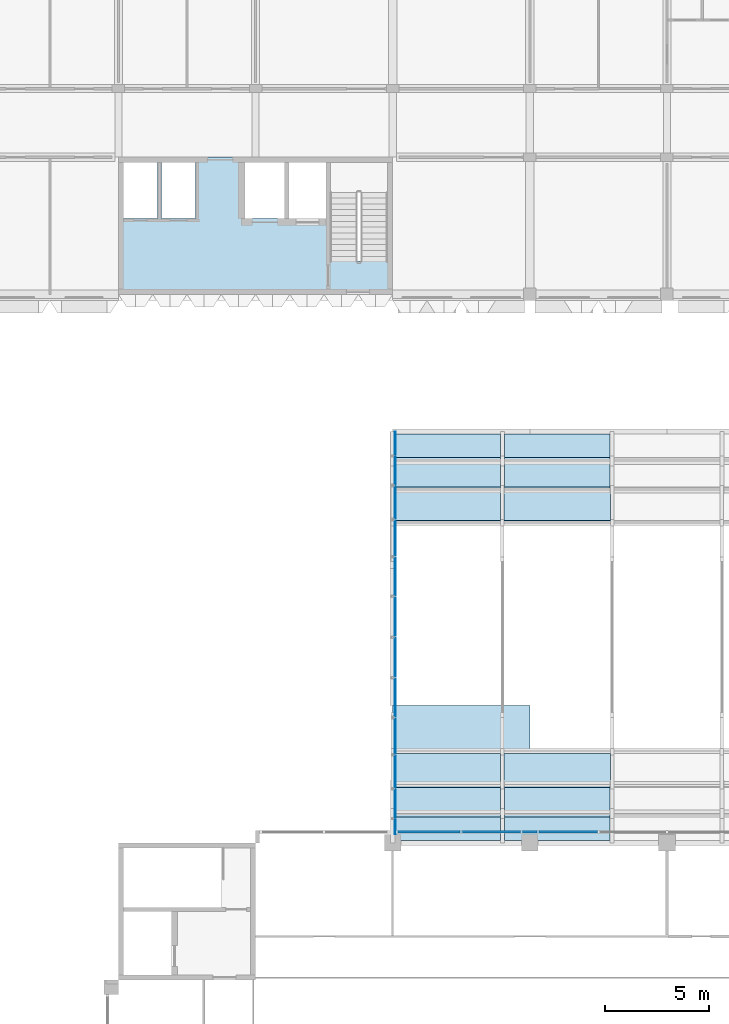
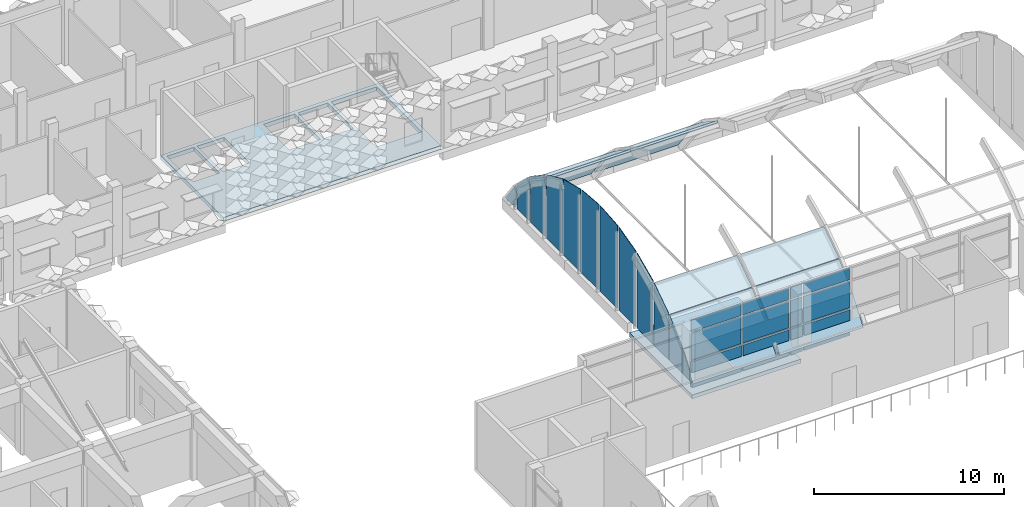
# One storey, part 38 of 102: 24 plates, 14 slabs, 1 element without a shape of its own.
"""IFC4 building model written with IfcOpenShell, lengths in metres."""

from ifc_helpers import new_model, si_unit, direction, frame, origin, origin_2d, place, context, subcontext, project, spatial, polyline, rectangle, outline, extrude, material, layer, layer_set, type_object, element, aggregate, save


model = new_model("IFC4")

# Units and contexts
model_context = context("Model", 3, precision=1e-05, world=origin(), true_north=direction((0.0, 1.0)))
body_context = subcontext(model_context, "Body", "Model", "MODEL_VIEW")
ifc_project = project(units=[si_unit("LENGTHUNIT", "METRE"), si_unit("AREAUNIT", "SQUARE_METRE"), si_unit("VOLUMEUNIT", "CUBIC_METRE"), si_unit("PLANEANGLEUNIT", "RADIAN"), si_unit("MASSUNIT", "GRAM", prefix="KILO")], contexts=[model_context])

# Site, building, storey
site_placement = place(None, origin())
site = spatial("IfcSite", under=ifc_project, at=site_placement, CompositionType="ELEMENT")
building_placement = place(site_placement, origin())
building = spatial("IfcBuilding", under=site, at=building_placement, Name="Lantern Court Research Institute", CompositionType="ELEMENT")
storey_placement = place(building_placement, frame((0.0, 0.0, 9.89990234375)))
storey = spatial("IfcBuildingStorey", under=building, at=storey_placement, Name="L02", CompositionType="ELEMENT", Elevation=9.89990234375)

# Curtain wall, plates
ifc_material_1 = material(Name="Aluminium alloy 6063-T6", Category="aluminium")
curtain_wall_type = type_object("IfcCurtainWallType", Name="Curtain wall 19450 x 4500 x 150 aluminium frame", PredefinedType="NOTDEFINED", material=ifc_material_1)
curtain_wall_placement = place(storey_placement, origin())
curtain_wall = element("IfcCurtainWall", 1, at=curtain_wall_placement, inside=storey, type_object=curtain_wall_type, Name="Curtain wall CW036", PredefinedType="NOTDEFINED")
ifc_material_2 = material(Name="Fire-resisting insulated aluminium spandrel panel", Category="aluminium")
ifc_layer_1 = layer(ifc_material_2, 0.1201171875)
ifc_layer_set_1 = layer_set([ifc_layer_1], Name="Fire-resisting insulated aluminium spandrel panel")
plate_type_1 = type_object("IfcPlateType", Name="Fire-resisting spandrel panel 120 mm", PredefinedType="CURTAIN_PANEL", material=ifc_layer_set_1)
plate_1_placement = place(storey_placement, frame((54.550048828125, 56.625, 0.10009765625), z_axis=(0.0, 0.0, 1.0), x_axis=(1.0, 0.0, 0.0)))
plate_1 = element("IfcPlate", 2, at=plate_1_placement, type_object=plate_type_1, Name="CW036 spandrel panel 1.1", PredefinedType="CURTAIN_PANEL", context=body_context, shape_type="SweptSolid", body=[
    extrude(rectangle(XDim=3.0, YDim=0.1201171875, at=origin_2d()), origin(), (0.0, 0.0, 1.0), 1.64990234375),
])
plate_2_placement = place(storey_placement, frame((57.550048828125, 56.625, 0.10009765625), z_axis=(0.0, 0.0, 1.0), x_axis=(1.0, 0.0, 0.0)))
plate_2 = element("IfcPlate", 3, at=plate_2_placement, type_object=plate_type_1, Name="CW036 spandrel panel 2.1", PredefinedType="CURTAIN_PANEL", context=body_context, shape_type="SweptSolid", body=[
    extrude(rectangle(XDim=2.800048828125, YDim=0.1201171875, at=origin_2d()), origin(), (0.0, 0.0, 1.0), 1.64990234375),
])
plate_3_placement = place(storey_placement, frame((59.39990234375, 56.625, 0.10009765625), z_axis=(0.0, 0.0, 1.0), x_axis=(1.0, 0.0, 0.0)))
plate_3 = element("IfcPlate", 4, at=plate_3_placement, type_object=plate_type_1, Name="CW036 spandrel panel 3.1", PredefinedType="CURTAIN_PANEL", context=body_context, shape_type="SweptSolid", body=[
    extrude(rectangle(XDim=0.699951171875, YDim=0.1201171875, at=origin_2d()), origin(), (0.0, 0.0, 1.0), 1.64990234375),
])
plate_4_placement = place(storey_placement, frame((61.25, 56.625, 0.10009765625), z_axis=(0.0, 0.0, 1.0), x_axis=(1.0, 0.0, 0.0)))
plate_4 = element("IfcPlate", 5, at=plate_4_placement, type_object=plate_type_1, Name="CW036 spandrel panel 4.1", PredefinedType="CURTAIN_PANEL", context=body_context, shape_type="SweptSolid", body=[
    extrude(rectangle(XDim=2.800048828125, YDim=0.1201171875, at=origin_2d()), origin(), (0.0, 0.0, 1.0), 1.64990234375),
])

# Plates
ifc_material_3 = material(Name="Laminated low-emissivity glass", Category="glass")
ifc_layer_2 = layer(ifc_material_3, 0.035888671875)
ifc_layer_set_2 = layer_set([ifc_layer_2], Name="Laminated low-emissivity glass")
plate_type_2 = type_object("IfcPlateType", Name="Gable glazing panel 36", PredefinedType="SHEET", material=ifc_layer_set_2)
plate_5_placement = place(storey_placement, frame((52.91796875, 56.5048828125, 0.64013671875), z_axis=(0.0, 0.0, 1.0), x_axis=(0.0, 1.0, 0.0)))
element("IfcPlate", 6, at=plate_5_placement, inside=storey, type_object=plate_type_2, Name="Gable glazing panel", PredefinedType="SHEET", context=body_context, shape_type="SweptSolid", body=[
    extrude(outline(polyline([(0.0, 0.0), (0.71240234375, 0.0), (0.71240234375, 1.497314453125), (0.0, 0.542724609375), (0.0, 0.0)])), frame((0.0, 0.01806640625, 0.0), z_axis=(0.0, -1.0, 0.0), x_axis=(1.0, 0.0, 0.0)), (0.0, 0.0, 1.0), 0.035888671875),
])
plate_6_placement = place(storey_placement, frame((52.91796875, 57.33740234375, 0.64013671875), z_axis=(0.0, 0.0, 1.0), x_axis=(0.0, 1.0, 0.0)))
element("IfcPlate", 7, at=plate_6_placement, inside=storey, type_object=plate_type_2, Name="Gable glazing panel", PredefinedType="SHEET", context=body_context, shape_type="SweptSolid", body=[
    extrude(outline(polyline([(0.0, 0.0), (1.305908203125, 0.0), (1.305908203125, 2.877685546875), (0.0, 1.634765625), (0.0, 0.0)])), frame((0.0, 0.01806640625, 0.0), z_axis=(0.0, -1.0, 0.0), x_axis=(1.0, 0.0, 0.0)), (0.0, 0.0, 1.0), 0.035888671875),
])
plate_7_placement = place(storey_placement, frame((52.91796875, 58.763427734375, 0.64013671875), z_axis=(0.0, 0.0, 1.0), x_axis=(0.0, 1.0, 0.0)))
element("IfcPlate", 8, at=plate_7_placement, inside=storey, type_object=plate_type_2, Name="Gable glazing panel", PredefinedType="SHEET", context=body_context, shape_type="SweptSolid", body=[
    extrude(outline(polyline([(0.0, 0.0), (1.513916015625, 0.0), (1.513916015625, 3.992431640625), (0.0, 2.97509765625), (0.0, 0.0)])), frame((0.0, 0.01806640625, 0.0), z_axis=(0.0, -1.0, 0.0), x_axis=(1.0, 0.0, 0.0)), (0.0, 0.0, 1.0), 0.035888671875),
])
plate_8_placement = place(storey_placement, frame((52.91796875, 60.3974609375, 0.64013671875), z_axis=(0.0, 0.0, 1.0), x_axis=(0.0, 1.0, 0.0)))
element("IfcPlate", 9, at=plate_8_placement, inside=storey, type_object=plate_type_2, Name="Gable glazing panel", PredefinedType="SHEET", context=body_context, shape_type="SweptSolid", body=[
    extrude(outline(polyline([(0.0, 0.0), (1.67529296875, 0.0), (1.67529296875, 4.81298828125), (0.0, 4.0595703125), (0.0, 0.0)])), frame((0.0, 0.01806640625, 0.0), z_axis=(0.0, -1.0, 0.0), x_axis=(1.0, 0.0, 0.0)), (0.0, 0.0, 1.0), 0.035888671875),
])
plate_9_placement = place(storey_placement, frame((52.91796875, 62.19287109375, 0.64013671875), z_axis=(0.0, 0.0, 1.0), x_axis=(0.0, 1.0, 0.0)))
element("IfcPlate", 10, at=plate_9_placement, inside=storey, type_object=plate_type_2, Name="Gable glazing panel", PredefinedType="SHEET", context=body_context, shape_type="SweptSolid", body=[
    extrude(outline(polyline([(0.0, 0.0), (1.78564453125, 0.0), (1.78564453125, 5.318115234375), (0.0, 4.85546875), (0.0, 0.0)])), frame((0.0, 0.01806640625, 0.0), z_axis=(0.0, -1.0, 0.0), x_axis=(1.0, 0.0, 0.0)), (0.0, 0.0, 1.0), 0.035888671875),
])
plate_10_placement = place(storey_placement, frame((52.91796875, 64.098388671875, 0.64013671875), z_axis=(0.0, 0.0, 1.0), x_axis=(0.0, 1.0, 0.0)))
element("IfcPlate", 11, at=plate_10_placement, inside=storey, type_object=plate_type_2, Name="Gable glazing panel", PredefinedType="SHEET", context=body_context, shape_type="SweptSolid", body=[
    extrude(outline(polyline([(0.0, 0.0), (1.841552734375, 0.0), (1.841552734375, 5.494873046875), (0.0, 5.3388671875), (0.0, 0.0)])), frame((0.0, 0.01806640625, 0.0), z_axis=(0.0, -1.0, 0.0), x_axis=(1.0, 0.0, 0.0)), (0.0, 0.0, 1.0), 0.035888671875),
])
plate_11_placement = place(storey_placement, frame((52.91796875, 66.06005859375, 0.64013671875), z_axis=(0.0, 0.0, 1.0), x_axis=(0.0, 1.0, 0.0)))
element("IfcPlate", 12, at=plate_11_placement, inside=storey, type_object=plate_type_2, Name="Gable glazing panel", PredefinedType="SHEET", context=body_context, shape_type="SweptSolid", body=[
    extrude(outline(polyline([(0.0, 0.0), (1.841552734375, 0.0), (1.841552734375, 5.3388671875), (0.0, 5.494873046875), (0.0, 0.0)])), frame((0.0, 0.01806640625, 0.0), z_axis=(0.0, -1.0, 0.0), x_axis=(1.0, 0.0, 0.0)), (0.0, 0.0, 1.0), 0.035888671875),
])
plate_12_placement = place(storey_placement, frame((52.91796875, 68.021484375, 0.64013671875), z_axis=(0.0, 0.0, 1.0), x_axis=(0.0, 1.0, 0.0)))
element("IfcPlate", 13, at=plate_12_placement, inside=storey, type_object=plate_type_2, Name="Gable glazing panel", PredefinedType="SHEET", context=body_context, shape_type="SweptSolid", body=[
    extrude(outline(polyline([(0.0, 0.0), (1.78564453125, 0.0), (1.78564453125, 4.85546875), (0.0, 5.318115234375), (0.0, 0.0)])), frame((0.0, 0.01806640625, 0.0), z_axis=(0.0, -1.0, 0.0), x_axis=(1.0, 0.0, 0.0)), (0.0, 0.0, 1.0), 0.035888671875),
])
plate_13_placement = place(storey_placement, frame((52.91796875, 69.92724609375, 0.64013671875), z_axis=(0.0, 0.0, 1.0), x_axis=(0.0, 1.0, 0.0)))
element("IfcPlate", 14, at=plate_13_placement, inside=storey, type_object=plate_type_2, Name="Gable glazing panel", PredefinedType="SHEET", context=body_context, shape_type="SweptSolid", body=[
    extrude(outline(polyline([(0.0, 0.0), (1.67529296875, 0.0), (1.67529296875, 4.0595703125), (0.0, 4.81298828125), (0.0, 0.0)])), frame((0.0, 0.01806640625, 0.0), z_axis=(0.0, -1.0, 0.0), x_axis=(1.0, 0.0, 0.0)), (0.0, 0.0, 1.0), 0.035888671875),
])
plate_14_placement = place(storey_placement, frame((52.91796875, 71.72265625, 0.64013671875), z_axis=(0.0, 0.0, 1.0), x_axis=(0.0, 1.0, 0.0)))
element("IfcPlate", 15, at=plate_14_placement, inside=storey, type_object=plate_type_2, Name="Gable glazing panel", PredefinedType="SHEET", context=body_context, shape_type="SweptSolid", body=[
    extrude(outline(polyline([(0.0, 0.0), (1.513916015625, 0.0), (1.513916015625, 2.97509765625), (0.0, 3.992431640625), (0.0, 0.0)])), frame((0.0, 0.01806640625, 0.0), z_axis=(0.0, -1.0, 0.0), x_axis=(1.0, 0.0, 0.0)), (0.0, 0.0, 1.0), 0.035888671875),
])
plate_15_placement = place(storey_placement, frame((52.91796875, 73.356689453125, 0.64013671875), z_axis=(0.0, 0.0, 1.0), x_axis=(0.0, 1.0, 0.0)))
element("IfcPlate", 16, at=plate_15_placement, inside=storey, type_object=plate_type_2, Name="Gable glazing panel", PredefinedType="SHEET", context=body_context, shape_type="SweptSolid", body=[
    extrude(outline(polyline([(0.0, 0.0), (1.305908203125, 0.0), (1.305908203125, 1.634765625), (0.0, 2.877685546875), (0.0, 0.0)])), frame((0.0, 0.01806640625, 0.0), z_axis=(0.0, -1.0, 0.0), x_axis=(1.0, 0.0, 0.0)), (0.0, 0.0, 1.0), 0.035888671875),
])
plate_16_placement = place(storey_placement, frame((52.91796875, 74.78271484375, 0.64013671875), z_axis=(0.0, 0.0, 1.0), x_axis=(0.0, 1.0, 0.0)))
element("IfcPlate", 17, at=plate_16_placement, inside=storey, type_object=plate_type_2, Name="Gable glazing panel", PredefinedType="SHEET", context=body_context, shape_type="SweptSolid", body=[
    extrude(outline(polyline([(0.0, 0.0), (1.09716796875, 0.0), (1.097412109375, 0.02685546875), (0.0, 1.497314453125), (0.0, 0.0)])), frame((0.0, 0.01806640625, 0.0), z_axis=(0.0, -1.0, 0.0), x_axis=(1.0, 0.0, 0.0)), (0.0, 0.0, 1.0), 0.035888671875),
])

# Plate
ifc_material_4 = material(Name="Laminated low-emissivity glass", Category="glass")
ifc_layer_3 = layer(ifc_material_4, 0.028076171875)
ifc_layer_set_3 = layer_set([ifc_layer_3], Name="Laminated low-emissivity glass")
plate_type_3 = type_object("IfcPlateType", Name="Laminated low-emissivity unit 28 mm", PredefinedType="CURTAIN_PANEL", material=ifc_layer_set_3)
plate_17_placement = place(storey_placement, frame((54.550048828125, 56.625, 1.85009765625), z_axis=(0.0, 0.0, 1.0), x_axis=(1.0, 0.0, 0.0)))
plate_17 = element("IfcPlate", 18, at=plate_17_placement, type_object=plate_type_3, Name="CW036 glazed panel 1.2", PredefinedType="CURTAIN_PANEL", context=body_context, shape_type="SweptSolid", body=[
    extrude(rectangle(XDim=3.0, YDim=0.028076171875, at=origin_2d()), origin(), (0.0, 0.0, 1.0), 1.699951171875),
])

plate_18_placement = place(storey_placement, frame((54.550048828125, 56.625, 3.650146484375), z_axis=(0.0, 0.0, 1.0), x_axis=(1.0, 0.0, 0.0)))
plate_18 = element("IfcPlate", 19, at=plate_18_placement, type_object=plate_type_3, Name="CW036 glazed panel 1.3", PredefinedType="CURTAIN_PANEL", context=body_context, shape_type="SweptSolid", body=[
    extrude(rectangle(XDim=3.0, YDim=0.028076171875, at=origin_2d()), origin(), (0.0, 0.0, 1.0), 0.75),
])

plate_19_placement = place(storey_placement, frame((57.550048828125, 56.625, 1.85009765625), z_axis=(0.0, 0.0, 1.0), x_axis=(1.0, 0.0, 0.0)))
plate_19 = element("IfcPlate", 20, at=plate_19_placement, type_object=plate_type_3, Name="CW036 glazed panel 2.2", PredefinedType="CURTAIN_PANEL", context=body_context, shape_type="SweptSolid", body=[
    extrude(rectangle(XDim=2.800048828125, YDim=0.028076171875, at=origin_2d()), origin(), (0.0, 0.0, 1.0), 1.699951171875),
])

plate_20_placement = place(storey_placement, frame((57.550048828125, 56.625, 3.650146484375), z_axis=(0.0, 0.0, 1.0), x_axis=(1.0, 0.0, 0.0)))
plate_20 = element("IfcPlate", 21, at=plate_20_placement, type_object=plate_type_3, Name="CW036 glazed panel 2.3", PredefinedType="CURTAIN_PANEL", context=body_context, shape_type="SweptSolid", body=[
    extrude(rectangle(XDim=2.800048828125, YDim=0.028076171875, at=origin_2d()), origin(), (0.0, 0.0, 1.0), 0.75),
])

plate_21_placement = place(storey_placement, frame((59.39990234375, 56.625, 1.85009765625), z_axis=(0.0, 0.0, 1.0), x_axis=(1.0, 0.0, 0.0)))
plate_21 = element("IfcPlate", 22, at=plate_21_placement, type_object=plate_type_3, Name="CW036 glazed panel 3.2", PredefinedType="CURTAIN_PANEL", context=body_context, shape_type="SweptSolid", body=[
    extrude(rectangle(XDim=0.699951171875, YDim=0.028076171875, at=origin_2d()), origin(), (0.0, 0.0, 1.0), 1.699951171875),
])

plate_22_placement = place(storey_placement, frame((59.39990234375, 56.625, 3.650146484375), z_axis=(0.0, 0.0, 1.0), x_axis=(1.0, 0.0, 0.0)))
plate_22 = element("IfcPlate", 23, at=plate_22_placement, type_object=plate_type_3, Name="CW036 glazed panel 3.3", PredefinedType="CURTAIN_PANEL", context=body_context, shape_type="SweptSolid", body=[
    extrude(rectangle(XDim=0.699951171875, YDim=0.028076171875, at=origin_2d()), origin(), (0.0, 0.0, 1.0), 0.75),
])

plate_23_placement = place(storey_placement, frame((61.25, 56.625, 1.85009765625), z_axis=(0.0, 0.0, 1.0), x_axis=(1.0, 0.0, 0.0)))
plate_23 = element("IfcPlate", 24, at=plate_23_placement, type_object=plate_type_3, Name="CW036 glazed panel 4.2", PredefinedType="CURTAIN_PANEL", context=body_context, shape_type="SweptSolid", body=[
    extrude(rectangle(XDim=2.800048828125, YDim=0.028076171875, at=origin_2d()), origin(), (0.0, 0.0, 1.0), 1.699951171875),
])

plate_24_placement = place(storey_placement, frame((61.25, 56.625, 3.650146484375), z_axis=(0.0, 0.0, 1.0), x_axis=(1.0, 0.0, 0.0)))
plate_24 = element("IfcPlate", 25, at=plate_24_placement, type_object=plate_type_3, Name="CW036 glazed panel 4.3", PredefinedType="CURTAIN_PANEL", context=body_context, shape_type="SweptSolid", body=[
    extrude(rectangle(XDim=2.800048828125, YDim=0.028076171875, at=origin_2d()), origin(), (0.0, 0.0, 1.0), 0.75),
])

aggregate(curtain_wall, [plate_1, plate_17, plate_18, plate_2, plate_19, plate_20, plate_3, plate_21, plate_22, plate_4, plate_23, plate_24])

# Slabs
ifc_material_5 = material(Name="Concrete C35/45", Category="concrete")
ifc_layer_4 = layer(ifc_material_5, 0.25)
ifc_layer_set_4 = layer_set([ifc_layer_4], Name="Concrete C35/45")
slab_type_1 = type_object("IfcSlabType", Name="RC core floor slab 250", PredefinedType="FLOOR", material=ifc_layer_set_4)
slab_1_placement = place(storey_placement, frame((0.0, 0.0, -0.25)))
element("IfcSlab", 26, at=slab_1_placement, inside=storey, type_object=slab_type_1, Name="Floor of core WC-M", PredefinedType="FLOOR", context=body_context, shape_type="SweptSolid", body=[
    extrude(outline(polyline([(39.60009765625, 82.5), (52.800048828125, 82.5), (52.800048828125, 89.10009765625), (39.60009765625, 89.10009765625), (39.60009765625, 82.5)]), holes=[polyline([(52.550048828125, 84.10009765625), (52.550048828125, 88.85009765625), (49.800048828125, 88.85009765625), (49.800048828125, 84.10009765625), (52.550048828125, 84.10009765625)]), polyline([(47.800048828125, 86.14990234375), (49.60009765625, 86.14990234375), (49.60009765625, 88.85009765625), (47.800048828125, 88.85009765625), (47.800048828125, 86.14990234375)]), polyline([(45.699951171875, 86.14990234375), (47.60009765625, 86.14990234375), (47.60009765625, 88.85009765625), (45.699951171875, 88.85009765625), (45.699951171875, 86.14990234375)]), polyline([(43.300048828125, 88.85009765625), (43.300048828125, 86.14990234375), (41.675048828125, 86.14990234375), (41.675048828125, 88.85009765625), (43.300048828125, 88.85009765625)]), polyline([(41.47509765625, 88.85009765625), (41.47509765625, 86.14990234375), (39.85009765625, 86.14990234375), (39.85009765625, 88.85009765625), (41.47509765625, 88.85009765625)])]), origin(), (0.0, 0.0, 1.0), 0.25),
])
ifc_material_6 = material(Name="Concrete C35/45", Category="concrete")
ifc_layer_5 = layer(ifc_material_6, 0.25)
ifc_layer_set_5 = layer_set([ifc_layer_5], Name="Concrete C35/45")
slab_type_2 = type_object("IfcSlabType", Name="RC core roof slab 250", PredefinedType="ROOF", material=ifc_layer_set_5)
slab_2_placement = place(storey_placement, frame((0.0, 0.0, -0.25)))
element("IfcSlab", 27, at=slab_2_placement, inside=storey, type_object=slab_type_2, Name="Roof of core TH-A", PredefinedType="ROOF", context=body_context, shape_type="SweptSolid", body=[
    extrude(outline(polyline([(52.800048828125, 56.10009765625), (59.39990234375, 56.10009765625), (59.39990234375, 62.699951171875), (52.800048828125, 62.699951171875), (52.800048828125, 56.10009765625)])), origin(), (0.0, 0.0, 1.0), 0.25),
])
ifc_material_7 = material(Name="Cross-laminated timber C24", Category="wood")
ifc_layer_6 = layer(ifc_material_7, 0.1201171875)
ifc_layer_set_6 = layer_set([ifc_layer_6], Name="Cross-laminated timber C24")
slab_type_3 = type_object("IfcSlabType", Name="Timber roof deck 120", PredefinedType="ROOF", material=ifc_layer_set_6)
for number, where, z_axis, x_axis, name in (
    (28, (52.8798828125, 58.806396484375, 3.475341796875), (0.0, -0.557707476308, 0.830037571963), (1.0, 0.0, 0.0), "Timber roof deck panel"),
    (29, (52.8798828125, 71.609375, 4.539794921875), (0.0, 0.557707476308, 0.830037571963), (1.0, 0.0, 0.0), "Timber roof deck panel"),
    (30, (58.159912109375, 58.806396484375, 3.475341796875), (0.0, -0.557707476308, 0.830037571963), (1.0, 0.0, 0.0), "Timber roof deck panel"),
    (31, (58.159912109375, 71.609375, 4.539794921875), (0.0, 0.557707476308, 0.830037571963), (1.0, 0.0, 0.0), "Timber roof deck panel"),
):
    element("IfcSlab", number, at=place(storey_placement, frame(where, z_axis=z_axis, x_axis=x_axis)), inside=storey, type_object=slab_type_3, Name=name, PredefinedType="ROOF", context=body_context, shape_type="SweptSolid", body=[
        extrude(outline(polyline([(0.0, 0.0), (5.1201171875, 0.0), (5.1201171875, 1.9086226565357691), (0.0, 1.9086226565357691), (0.0, 0.0)])), origin(), (0.0, 0.0, -1.0), 0.1201171875),
    ])
ifc_material_8 = material(Name="Cross-laminated timber C24", Category="wood")
ifc_layer_7 = layer(ifc_material_8, 0.139892578125)
ifc_layer_set_7 = layer_set([ifc_layer_7], Name="Cross-laminated timber C24")
slab_type_4 = type_object("IfcSlabType", Name="Timber roof deck 140", PredefinedType="ROOF", material=ifc_layer_set_7)
slab_3_placement = place(storey_placement, frame((52.919921875, 56.219970703125, 0.600341796875), z_axis=(0.0, -0.801401837917, 0.598126319588), x_axis=(1.0, 0.0, 0.0)))
element("IfcSlab", 32, at=slab_3_placement, inside=storey, type_object=slab_type_4, Name="Timber roof deck panel", PredefinedType="ROOF", context=body_context, shape_type="SweptSolid", body=[
    extrude(outline(polyline([(0.0, 0.0), (5.06005859375, 0.0), (5.06005859375, 1.8988333238421826), (0.0, 1.8988333238421826), (0.0, 0.0)])), origin(), (0.0, 0.0, -1.0), 0.139892578125),
])
for number, where, z_axis, x_axis, name in (
    (33, (52.89990234375, 57.3818359375, 2.151611328125), (0.0, -0.689364443388, 0.724414704566), (1.0, 0.0, 0.0), "Timber roof deck panel"),
    (34, (52.89990234375, 73.235595703125, 3.46728515625), (0.0, 0.689364443388, 0.724414704566), (1.0, 0.0, 0.0), "Timber roof deck panel"),
):
    element("IfcSlab", number, at=place(storey_placement, frame(where, z_axis=z_axis, x_axis=x_axis)), inside=storey, type_object=slab_type_4, Name=name, PredefinedType="ROOF", context=body_context, shape_type="SweptSolid", body=[
        extrude(outline(polyline([(0.0, 0.0), (5.080078125, 0.0), (5.080078125, 1.908531605805356), (0.0, 1.908531605805356), (0.0, 0.0)])), origin(), (0.0, 0.0, -1.0), 0.139892578125),
    ])
for number, where, z_axis, x_axis, name in (
    (35, (52.89990234375, 74.644287109375, 2.1220703125), (0.0, 0.801401837917, 0.598126319588), (1.0, 0.0, 0.0), "Timber roof deck panel"),
    (36, (58.179931640625, 56.219970703125, 0.600341796875), (0.0, -0.801401837917, 0.598126319588), (1.0, 0.0, 0.0), "Timber roof deck panel"),
):
    element("IfcSlab", number, at=place(storey_placement, frame(where, z_axis=z_axis, x_axis=x_axis)), inside=storey, type_object=slab_type_4, Name=name, PredefinedType="ROOF", context=body_context, shape_type="SweptSolid", body=[
        extrude(outline(polyline([(0.0, 0.0), (5.080078125, 0.0), (5.080078125, 1.8988333238421826), (0.0, 1.8988333238421826), (0.0, 0.0)])), origin(), (0.0, 0.0, -1.0), 0.139892578125),
    ])
for number, where, z_axis, x_axis, name in (
    (37, (58.179931640625, 57.3818359375, 2.151611328125), (0.0, -0.689364443388, 0.724414704566), (1.0, 0.0, 0.0), "Timber roof deck panel"),
    (38, (58.179931640625, 73.235595703125, 3.46728515625), (0.0, 0.689364443388, 0.724414704566), (1.0, 0.0, 0.0), "Timber roof deck panel"),
):
    element("IfcSlab", number, at=place(storey_placement, frame(where, z_axis=z_axis, x_axis=x_axis)), inside=storey, type_object=slab_type_4, Name=name, PredefinedType="ROOF", context=body_context, shape_type="SweptSolid", body=[
        extrude(outline(polyline([(0.0, 0.0), (5.080078125, 0.0), (5.080078125, 1.908531605805356), (0.0, 1.908531605805356), (0.0, 0.0)])), origin(), (0.0, 0.0, -1.0), 0.139892578125),
    ])
slab_4_placement = place(storey_placement, frame((58.179931640625, 74.644287109375, 2.1220703125), z_axis=(0.0, 0.801401837917, 0.598126319588), x_axis=(1.0, 0.0, 0.0)))
element("IfcSlab", 39, at=slab_4_placement, inside=storey, type_object=slab_type_4, Name="Timber roof deck panel", PredefinedType="ROOF", context=body_context, shape_type="SweptSolid", body=[
    extrude(outline(polyline([(0.0, 0.0), (5.080078125, 0.0), (5.080078125, 1.8988333238421826), (0.0, 1.8988333238421826), (0.0, 0.0)])), origin(), (0.0, 0.0, -1.0), 0.139892578125),
])

save(model, "model.ifc")
